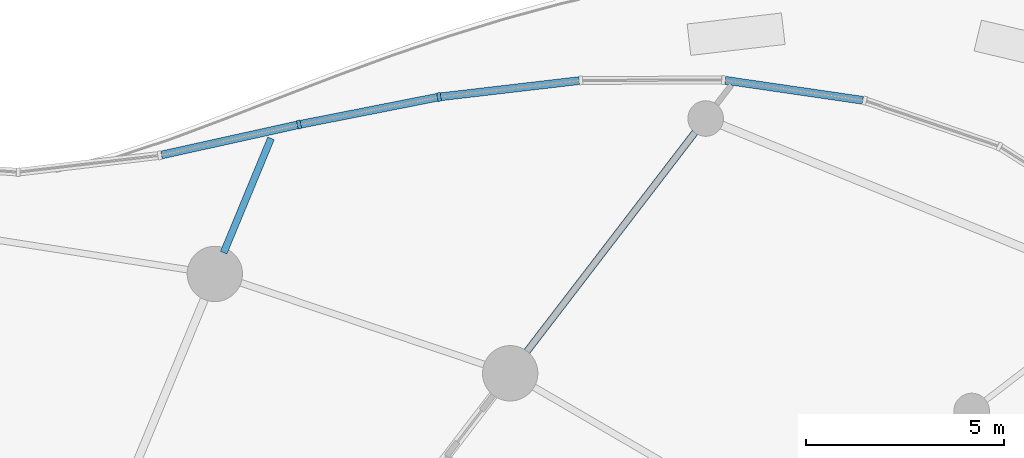
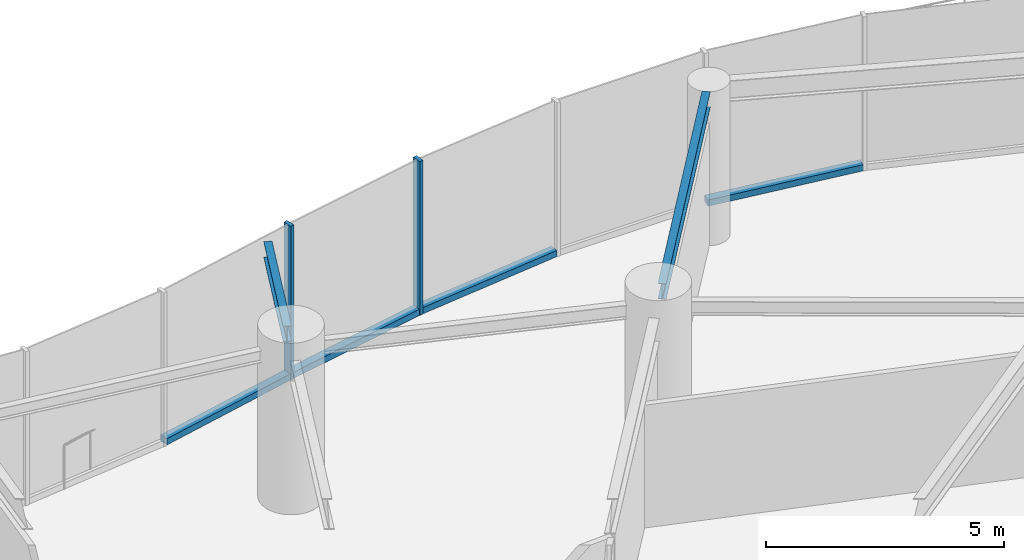
# One storey, part 6 of 21: 6 members, 2 beams, 2 elements without a shape of their own.
"""IFC4 building model written with IfcOpenShell, lengths in metres."""

import ifcopenshell
import ifcopenshell.guid

model = None  # the IFC model being written
_history = None  # IfcOwnerHistory: only IFC2X3 demands one
_inside = {}  # id of a spatial element -> (the spatial element, [elements in it])
_under = {}  # id of a project, library or spatial element -> (it, [spatial elements below it])
_declared = {}  # id of a project -> (the project, [libraries it declares])
_typed = {}  # id of a type object -> (the type object, [elements of that type])
_made_of = {}  # id of a material, layer set ... -> (it, [elements and type objects made of it])


def new_model(schema):
    """Start an empty IFC model of exactly this schema.

    Asked for "IFC4X3", IfcOpenShell would pick the latest addendum, in which some entities
    have other attributes; the version numbers below select the first issue.
    IFC2X3 requires an IfcOwnerHistory on every rooted entity: one is made here for all.
    """
    global model, _history
    if schema == "IFC4X3":
        model = ifcopenshell.file(schema_version=(4, 3, 0, 0))
    else:
        model = ifcopenshell.file(schema=schema)
    _inside.clear()
    _under.clear()
    _declared.clear()
    _typed.clear()
    _made_of.clear()
    _history = None
    if model.schema == "IFC2X3":
        org = make("IfcOrganization", Name="unknown")
        user = make(
            "IfcPersonAndOrganization",
            ThePerson=make("IfcPerson", FamilyName="unknown"),
            TheOrganization=org,
        )
        app = make(
            "IfcApplication",
            ApplicationDeveloper=org,
            Version="unknown",
            ApplicationFullName="unknown",
            ApplicationIdentifier="unknown",
        )
        _history = make(
            "IfcOwnerHistory",
            OwningUser=user,
            OwningApplication=app,
            ChangeAction="ADDED",
            CreationDate=0,
        )
    return model


def make(cls, **values):
    """One entity of the class cls with the attributes given. An attribute that is None is left unset."""
    return model.create_entity(
        cls, **{name: value for name, value in values.items() if value is not None}
    )


def rooted(cls, **values):
    """An entity with a GlobalId (a new one), such as an element, a storey or a relation."""
    return make(cls, GlobalId=ifcopenshell.guid.new(), OwnerHistory=_history, **values)


def si_unit(unit_type, name, prefix=None):
    """IfcSIUnit, for example si_unit("LENGTHUNIT", "METRE", prefix="MILLI")."""
    return make("IfcSIUnit", UnitType=unit_type, Prefix=prefix, Name=name)


def assignment(units):
    """IfcUnitAssignment: the units of a project."""
    return None if units is None else make("IfcUnitAssignment", Units=units)


def point(xyz):
    """IfcCartesianPoint."""
    return None if xyz is None else make("IfcCartesianPoint", Coordinates=xyz)


def direction(xyz):
    """IfcDirection."""
    return None if xyz is None else make("IfcDirection", DirectionRatios=xyz)


def frame(location, z_axis=None, x_axis=None):
    """IfcAxis2Placement3D, a coordinate frame: its origin and axes. An axis left out is left unset."""
    return make(
        "IfcAxis2Placement3D",
        Location=point(location),
        Axis=direction(z_axis),
        RefDirection=direction(x_axis),
    )


def frame_2d(location, x_axis=None):
    """IfcAxis2Placement2D, a coordinate frame in the plane: its origin and x axis."""
    return make(
        "IfcAxis2Placement2D", Location=point(location), RefDirection=direction(x_axis)
    )


def origin():
    """The frame at (0, 0, 0) with its axes left unset."""
    return frame((0.0, 0.0, 0.0))


def origin_2d():
    """The frame at (0, 0) in the plane with its x axis left unset."""
    return frame_2d((0.0, 0.0))


def place(relative_to, where):
    """IfcLocalPlacement: puts the frame where relative to a parent placement (None: the world)."""
    return make(
        "IfcLocalPlacement", PlacementRelTo=relative_to, RelativePlacement=where
    )


def context(
    kind, dimensions, precision=None, world=None, true_north=None, identifier=None
):
    """IfcGeometricRepresentationContext, for example the 3D "Model" context."""
    return make(
        "IfcGeometricRepresentationContext",
        ContextIdentifier=identifier,
        ContextType=kind,
        CoordinateSpaceDimension=dimensions,
        Precision=precision,
        WorldCoordinateSystem=world,
        TrueNorth=true_north,
    )


def subcontext(parent, identifier, kind, view, scale=None):
    """IfcGeometricRepresentationSubContext, for example "Body" below "Model"."""
    return make(
        "IfcGeometricRepresentationSubContext",
        ContextIdentifier=identifier,
        ContextType=kind,
        ParentContext=parent,
        TargetScale=scale,
        TargetView=view,
    )


def project(units=None, contexts=None):
    """IfcProject with its units and contexts."""
    return rooted(
        "IfcProject",
        Name="project",
        RepresentationContexts=contexts,
        UnitsInContext=assignment(units),
    )


def spatial(cls, under=None, at=None, **own):
    """A site, building, storey or space (cls), placed at a placement, below another one or the project."""
    s = rooted(cls, ObjectPlacement=at, **own)
    if under is not None:
        _under.setdefault(under.id(), (under, []))[1].append(s)
    return s


def profile(cls, at=None, kind="AREA", **sizes):
    """A parametric profile (cls). Its sizes go by their IFC names, for example OverallWidth=200.0."""
    return make(cls, ProfileType=kind, Position=at, **sizes)


def rectangle(**sizes):
    """IfcRectangleProfileDef."""
    return profile("IfcRectangleProfileDef", **sizes)


def i_section(**sizes):
    """IfcIShapeProfileDef."""
    return profile("IfcIShapeProfileDef", **sizes)


def extrude(swept, where, along, depth):
    """IfcExtrudedAreaSolid: the profile swept, set in the frame where, extruded along a direction by depth."""
    return make(
        "IfcExtrudedAreaSolid",
        SweptArea=swept,
        Position=where,
        ExtrudedDirection=direction(along),
        Depth=depth,
    )


def shape(context_of_items, identifier, shape_type, items):
    """IfcShapeRepresentation: the items that make up one representation, for example the "Body"."""
    return make(
        "IfcShapeRepresentation",
        ContextOfItems=context_of_items,
        RepresentationIdentifier=identifier,
        RepresentationType=shape_type,
        Items=items,
    )


def source(mapping_origin, context_of_items, identifier, shape_type, items):
    """IfcRepresentationMap: a shape defined once, which mapped items show again and again."""
    return make(
        "IfcRepresentationMap",
        MappingOrigin=mapping_origin,
        MappedRepresentation=shape(context_of_items, identifier, shape_type, items),
    )


def transform(
    local_origin,
    x_axis=None,
    y_axis=None,
    z_axis=None,
    scale=None,
    scale2=None,
    scale3=None,
    uniform=True,
):
    """IfcCartesianTransformationOperator3D, or its non-uniform kind. x_axis, y_axis, z_axis: its Axis1, 2, 3."""
    if uniform:
        return make(
            "IfcCartesianTransformationOperator3D",
            Axis1=direction(x_axis),
            Axis2=direction(y_axis),
            LocalOrigin=point(local_origin),
            Scale=scale,
            Axis3=direction(z_axis),
        )
    return make(
        "IfcCartesianTransformationOperator3DnonUniform",
        Axis1=direction(x_axis),
        Axis2=direction(y_axis),
        LocalOrigin=point(local_origin),
        Scale=scale,
        Axis3=direction(z_axis),
        Scale2=scale2,
        Scale3=scale3,
    )


def mapped(mapping_source, mapping_target):
    """IfcMappedItem: shows the shape of a source again, moved by a transform."""
    return make(
        "IfcMappedItem", MappingSource=mapping_source, MappingTarget=mapping_target
    )


def material(Name=None, Category=None):
    """IfcMaterial."""
    return make("IfcMaterial", Name=Name, Category=Category)


def layer(
    of_material, thickness, ventilated=None, Name=None, Category=None, Priority=None
):
    """IfcMaterialLayer: one layer of a wall or slab, of a material (None: an air gap)."""
    return make(
        "IfcMaterialLayer",
        Material=of_material,
        LayerThickness=thickness,
        IsVentilated=ventilated,
        Name=Name,
        Category=Category,
        Priority=Priority,
    )


def layer_set(layers, Name=None):
    """IfcMaterialLayerSet."""
    return make("IfcMaterialLayerSet", MaterialLayers=layers, LayerSetName=Name)


def material_profile(
    of_material, cross_section, Name=None, Category=None, Priority=None
):
    """IfcMaterialProfile: a cross section and its material."""
    return make(
        "IfcMaterialProfile",
        Name=Name,
        Material=of_material,
        Profile=cross_section,
        Priority=Priority,
        Category=Category,
    )


def profile_set(profiles, Name=None, composite=None):
    """IfcMaterialProfileSet."""
    return make(
        "IfcMaterialProfileSet",
        Name=Name,
        MaterialProfiles=profiles,
        CompositeProfile=composite,
    )


def made_of(thing, what):
    """Note that an element or type object is made of a material, layer set ...; save() writes the relation."""
    if what is not None:
        _made_of.setdefault(what.id(), (what, []))[1].append(thing)
    return thing


def type_object(cls, material=None, **own):
    """A type object (cls), such as IfcWallType, which elements share."""
    return made_of(rooted(cls, **own), material)


def element(
    cls,
    number,
    at=None,
    inside=None,
    cuts=None,
    type_object=None,
    material=None,
    context=None,
    identifier="Body",
    shape_type=None,
    held_by="IfcProductDefinitionShape",
    body=None,
    shapes=None,
    **own,
):
    """One element of the class cls, such as IfcWall. Its Tag is "e" and its number.

    at: its placement. inside: the storey or other place that contains it. cuts: it is an
    opening in that element (IfcRelVoidsElement). A single representation is given by context,
    identifier, shape_type and body (its items); several are given by shapes. held_by: the class
    of the entity that holds the representations. save() writes the other relations.
    """
    e = rooted(cls, Tag="e%d" % number, ObjectPlacement=at, **own)
    if body is not None:
        shapes = [shape(context, identifier, shape_type, body)]
    if shapes is not None:
        e.Representation = make(held_by, Representations=shapes)
    if inside is not None:
        _inside.setdefault(inside.id(), (inside, []))[1].append(e)
    if cuts is not None:
        rooted(
            "IfcRelVoidsElement", RelatingBuildingElement=cuts, RelatedOpeningElement=e
        )
    if type_object is not None:
        _typed.setdefault(type_object.id(), (type_object, []))[1].append(e)
    return made_of(e, material)


def aggregate(whole, parts):
    """IfcRelAggregates: a whole, such as a stair, and the parts it consists of."""
    return rooted("IfcRelAggregates", RelatingObject=whole, RelatedObjects=parts)


def save(model, path):
    """Write the relations noted so far, then the file.

    IfcRelAggregates (storeys below a building ...), IfcRelContainedInSpatialStructure (elements
    in a storey), IfcRelDefinesByType, IfcRelAssociatesMaterial and IfcRelDeclares: one each for
    every whole, place, type object, material and project.
    """
    for whole, parts in _under.values():
        aggregate(whole, parts)
    for where, things in _inside.values():
        rooted(
            "IfcRelContainedInSpatialStructure",
            RelatedElements=things,
            RelatingStructure=where,
        )
    for kind, things in _typed.values():
        rooted("IfcRelDefinesByType", RelatedObjects=things, RelatingType=kind)
    for what, things in _made_of.values():
        rooted("IfcRelAssociatesMaterial", RelatedObjects=things, RelatingMaterial=what)
    for by, libraries in _declared.values():
        rooted("IfcRelDeclares", RelatingContext=by, RelatedDefinitions=libraries)
    model.write(path)


model = new_model("IFC4")

# Units and contexts
model_context = context("Model", 3, precision=1e-05, world=origin(), true_north=direction((0.0, 1.0)))
body_context = subcontext(model_context, "Body", "Model", "MODEL_VIEW")
ifc_project = project(units=[si_unit("LENGTHUNIT", "METRE"), si_unit("AREAUNIT", "SQUARE_METRE"), si_unit("VOLUMEUNIT", "CUBIC_METRE"), si_unit("PLANEANGLEUNIT", "RADIAN"), si_unit("MASSUNIT", "GRAM", prefix="KILO")], contexts=[model_context])

# Site, building, storey
site_placement = place(None, origin())
site = spatial("IfcSite", under=ifc_project, at=site_placement, CompositionType="ELEMENT")
building_placement = place(site_placement, origin())
building = spatial("IfcBuilding", under=site, at=building_placement, Name="Spindrift Exchange Tower", CompositionType="ELEMENT")
storey_placement = place(building_placement, frame((0.0, 0.0, 9.39990234375)))
storey = spatial("IfcBuildingStorey", under=building, at=storey_placement, Name="L02", CompositionType="ELEMENT", Elevation=9.39990234375)

# Beams
ifc_material_1 = material(Name="Steel Grade 300", Category="steel")
ifc_material_profile_1 = material_profile(ifc_material_1, i_section(OverallWidth=0.177978515625, OverallDepth=0.406005859375, WebThickness=0.0078125, FlangeThickness=0.0126953125, FilletRadius=0.013916015625, at=origin_2d()), Name="410UB59.7")
ifc_profile_set_1 = profile_set([ifc_material_profile_1], Name="Steel Grade 300")
beam_type_1 = type_object("IfcBeamType", Name="Floor Beam 410UB59.7 Steel Grade 300", PredefinedType="BEAM", material=ifc_profile_set_1)
shared_shape_1 = source(origin(), body_context, "Body", "SweptSolid", [
    extrude(i_section(OverallWidth=0.177978515625, OverallDepth=0.406005859375, WebThickness=0.0078125, FlangeThickness=0.0126953125, FilletRadius=0.013916015625, at=origin_2d()), origin(), (0.0, 0.0, 1.0), 7.111328125),
])
beam_1_placement = place(storey_placement, frame((70.845458984375, 72.559814453125, 3.7470703125), z_axis=(0.608757985395, 0.793355982657, 0.0), x_axis=(-0.793355982657, 0.608757985395, 0.0)))
element("IfcBeam", 1, at=beam_1_placement, inside=storey, type_object=beam_type_1, Name="L02 radial beam R04C1", PredefinedType="BEAM", context=body_context, shape_type="MappedRepresentation", body=[
    mapped(shared_shape_1, transform((0.0, 0.0, 0.0), scale=1.0)),
])
ifc_material_profile_2 = material_profile(ifc_material_1, i_section(OverallWidth=0.177978515625, OverallDepth=0.406005859375, WebThickness=0.0078125, FlangeThickness=0.0126953125, FilletRadius=0.013916015625, at=origin_2d()), Name="410UB59.7")
ifc_profile_set_2 = profile_set([ifc_material_profile_2], Name="Steel Grade 300")
beam_type_2 = type_object("IfcBeamType", Name="Cantilever Beam 410UB59.7 Steel Grade 300", PredefinedType="BEAM", material=ifc_profile_set_2)
shared_shape_2 = source(origin(), body_context, "Body", "SweptSolid", [
    extrude(i_section(OverallWidth=0.177978515625, OverallDepth=0.406005859375, WebThickness=0.0078125, FlangeThickness=0.0126953125, FilletRadius=0.013916015625, at=origin_2d()), origin(), (0.0, 0.0, 1.0), 3.13330078125),
])
beam_2_placement = place(storey_placement, frame((63.244873046875, 75.147216796875, 3.7470703125), z_axis=(0.382661470632, 0.923888629053, 0.0), x_axis=(-0.923888629053, 0.382661470632, 0.0)))
element("IfcBeam", 2, at=beam_2_placement, inside=storey, type_object=beam_type_2, Name="L02 cantilever beam R05T", PredefinedType="BEAM", context=body_context, shape_type="MappedRepresentation", body=[
    mapped(shared_shape_2, transform((0.0, 0.0, 0.0), scale=1.0)),
])

# Curtain wall, members
ifc_material_2 = material(Name="Fritted laminated glass with bronze frame", Category="glass")
ifc_layer = layer(ifc_material_2, 0.219970703125)
ifc_layer_set = layer_set([ifc_layer], Name="PODIUM BRONZE GLAZED WALL")
curtain_wall_type = type_object("IfcCurtainWallType", Name="PODIUM BRONZE GLAZED WALL", PredefinedType="NOTDEFINED", material=ifc_layer_set)
curtain_wall_1_placement = place(storey_placement, origin())
curtain_wall_1 = element("IfcCurtainWall", 3, at=curtain_wall_1_placement, inside=storey, type_object=curtain_wall_type, Name="L02 Podium Bronze Glazed Wall run 3", PredefinedType="NOTDEFINED")
ifc_material_3 = material(Name="Bronze anodised aluminium", Category="aluminium")
ifc_material_profile_3 = material_profile(ifc_material_3, rectangle(XDim=0.090087890625, YDim=0.219970703125, at=origin_2d()), Name="PODIUM BRONZE GLAZED WALL MULLION 90X220")
ifc_profile_set_3 = profile_set([ifc_material_profile_3], Name="Bronze anodised aluminium")
member_type_1 = type_object("IfcMemberType", Name="PODIUM BRONZE GLAZED WALL MULLION 90X220", PredefinedType="MULLION", material=ifc_profile_set_3)
shared_shape_3 = source(origin(), body_context, "Body", "SweptSolid", [
    extrude(rectangle(XDim=0.090087890625, YDim=0.219970703125, at=origin_2d()), origin(), (0.0, 0.0, 1.0), 3.9501953125),
])
member_1_placement = place(storey_placement, frame((68.695556640625, 79.087890625, 0.0), z_axis=(0.0, 0.0, 1.0), x_axis=(-0.987946014774, -0.154798811014, 0.0)))
member_1 = element("IfcMember", 4, at=member_1_placement, type_object=member_type_1, Name="L02 mullion CW-P.15", PredefinedType="MULLION", context=body_context, shape_type="MappedRepresentation", body=[
    mapped(shared_shape_3, transform((0.0, 0.0, 0.0), scale=1.0)),
])
member_2_placement = place(storey_placement, frame((65.15380859375, 78.389892578125, 0.0), z_axis=(0.0, 0.0, 1.0), x_axis=(-0.978832500454, -0.204662981645, 0.0)))
member_2 = element("IfcMember", 5, at=member_2_placement, type_object=member_type_1, Name="L02 mullion CW-P.16", PredefinedType="MULLION", context=body_context, shape_type="MappedRepresentation", body=[
    mapped(shared_shape_3, transform((0.0, 0.0, 0.0), scale=1.0)),
])
ifc_material_profile_4 = material_profile(ifc_material_3, rectangle(XDim=0.199951171875, YDim=0.159912109375, at=origin_2d()), Name="PODIUM BRONZE GLAZED WALL TRANSOM 200X160")
ifc_profile_set_4 = profile_set([ifc_material_profile_4], Name="Bronze anodised aluminium")
member_type_2 = type_object("IfcMemberType", Name="PODIUM BRONZE GLAZED WALL TRANSOM 200X160", PredefinedType="USERDEFINED", material=ifc_profile_set_4)
shared_shape_4 = source(origin(), body_context, "Body", "SweptSolid", [
    extrude(rectangle(XDim=0.199951171875, YDim=0.159912109375, at=origin_2d()), origin(), (0.0, 0.0, 1.0), 3.51904296875),
])
member_3_placement = place(storey_placement, frame((72.235595703125, 79.50146484375, 0.080078125), z_axis=(-0.993249690774, -0.115995912759, 0.0), x_axis=(0.115995912759, -0.993249690774, 0.0)))
member_3 = element("IfcMember", 6, at=member_3_placement, type_object=member_type_2, Name="L02 transom CW-P.14", ObjectType="TRANSOM", PredefinedType="USERDEFINED", context=body_context, shape_type="MappedRepresentation", body=[
    mapped(shared_shape_4, transform((0.0, 0.0, 0.0), scale=1.0)),
])

# Curtain wall, member
curtain_wall_2_placement = place(storey_placement, origin())
curtain_wall_2 = element("IfcCurtainWall", 7, at=curtain_wall_2_placement, inside=storey, type_object=curtain_wall_type, Name="L02 Podium Bronze Glazed Wall run 2", PredefinedType="NOTDEFINED")
shared_shape_5 = source(origin(), body_context, "Body", "SweptSolid", [
    extrude(rectangle(XDim=0.199951171875, YDim=0.159912109375, at=origin_2d()), origin(), (0.0, 0.0, 1.0), 3.51611328125),
])
member_4_placement = place(storey_placement, frame((79.412353515625, 79.003173828125, 0.080078125), z_axis=(-0.989576726579, 0.144006604752, 0.0), x_axis=(-0.144006604752, -0.989576726579, 0.0)))
member_4 = element("IfcMember", 8, at=member_4_placement, type_object=member_type_2, Name="L02 transom CW-P.12", ObjectType="TRANSOM", PredefinedType="USERDEFINED", context=body_context, shape_type="MappedRepresentation", body=[
    mapped(shared_shape_5, transform((0.0, 0.0, 0.0), scale=1.0)),
])
aggregate(curtain_wall_2, [member_4])

# Member
shared_shape_6 = source(origin(), body_context, "Body", "SweptSolid", [
    extrude(rectangle(XDim=0.199951171875, YDim=0.159912109375, at=origin_2d()), origin(), (0.0, 0.0, 1.0), 3.52001953125),
])
member_5_placement = place(storey_placement, frame((68.6513671875, 79.079345703125, 0.080078125), z_axis=(-0.981126348341, -0.193367754784, 0.0), x_axis=(0.193367754784, -0.981126348341, 0.0)))
member_5 = element("IfcMember", 9, at=member_5_placement, type_object=member_type_2, Name="L02 transom CW-P.15", ObjectType="TRANSOM", PredefinedType="USERDEFINED", context=body_context, shape_type="MappedRepresentation", body=[
    mapped(shared_shape_6, transform((0.0, 0.0, 0.0), scale=1.0)),
])

shared_shape_7 = source(origin(), body_context, "Body", "SweptSolid", [
    extrude(rectangle(XDim=0.199951171875, YDim=0.159912109375, at=origin_2d()), origin(), (0.0, 0.0, 1.0), 3.520751953125),
])
member_6_placement = place(storey_placement, frame((65.10986328125, 78.380126953125, 0.080078125), z_axis=(-0.976423062685, -0.215865705144, 0.0), x_axis=(0.215865705144, -0.976423062685, 0.0)))
member_6 = element("IfcMember", 10, at=member_6_placement, type_object=member_type_2, Name="L02 transom CW-P.16", ObjectType="TRANSOM", PredefinedType="USERDEFINED", context=body_context, shape_type="MappedRepresentation", body=[
    mapped(shared_shape_7, transform((0.0, 0.0, 0.0), scale=1.0)),
])

aggregate(curtain_wall_1, [member_3, member_1, member_5, member_2, member_6])

save(model, "model.ifc")
